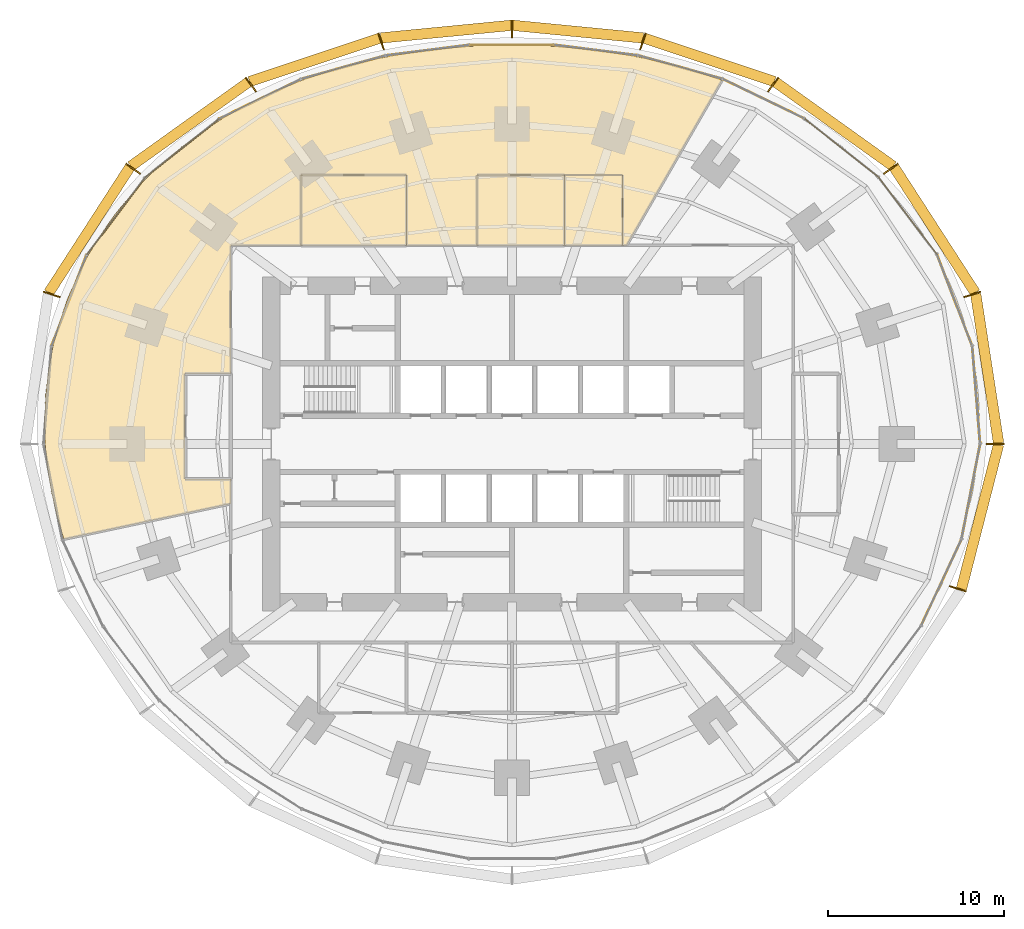
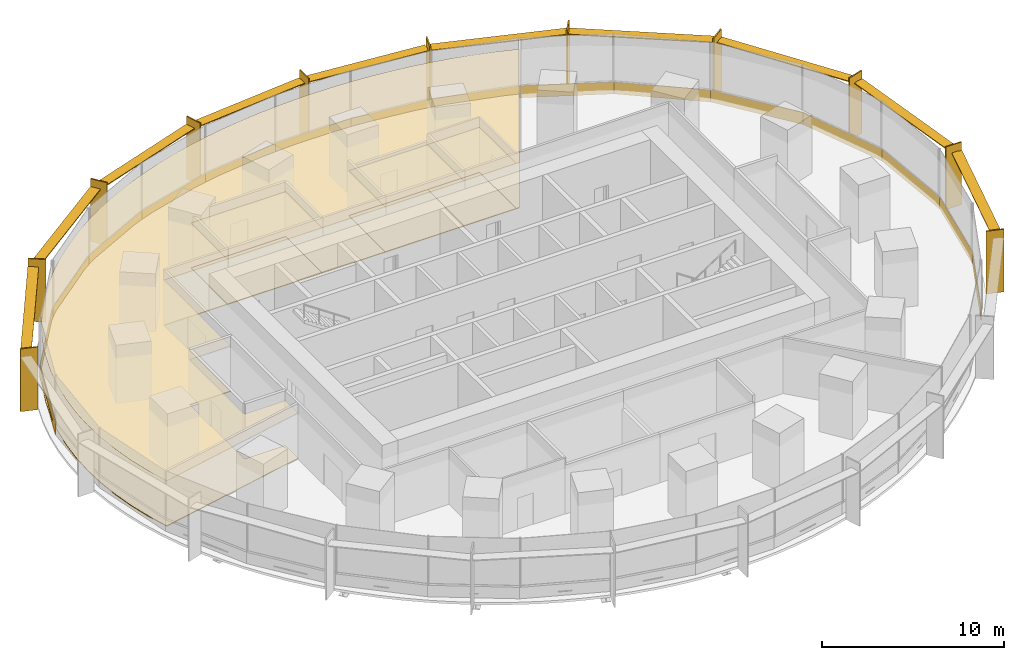
# One storey, part 15 of 15: 24 coverings, 21 shading devices.
"""IFC4 building model written with IfcOpenShell, lengths in metres."""

from ifc_helpers import new_model, si_unit, direction, frame, origin, origin_2d, place, context, subcontext, project, spatial, polyline, rectangle, outline, extrude, material, layer, layer_set, type_object, element, save


model = new_model("IFC4")

# Units and contexts
model_context = context("Model", 3, precision=1e-05, world=origin(), true_north=direction((0.0, 1.0)))
body_context = subcontext(model_context, "Body", "Model", "MODEL_VIEW")
ifc_project = project(units=[si_unit("LENGTHUNIT", "METRE"), si_unit("AREAUNIT", "SQUARE_METRE"), si_unit("VOLUMEUNIT", "CUBIC_METRE"), si_unit("PLANEANGLEUNIT", "RADIAN"), si_unit("MASSUNIT", "GRAM", prefix="KILO")], contexts=[model_context])

# Site, building, storey
site_placement = place(None, origin())
site = spatial("IfcSite", under=ifc_project, at=site_placement, CompositionType="ELEMENT")
building_placement = place(site_placement, origin())
building = spatial("IfcBuilding", under=site, at=building_placement, Name="Marramba Exchange Tower", CompositionType="ELEMENT")
storey_placement = place(building_placement, frame((0.0, 0.0, 44.800048828125)))
storey = spatial("IfcBuildingStorey", under=building, at=storey_placement, Name="L10", CompositionType="ELEMENT", Elevation=44.800048828125)

# Shading devices
ifc_material_1 = material(Name="Aluminium blade, timber-look bronze finish", Category="wood")
ifc_layer_1 = layer(ifc_material_1, 0.080078125)
ifc_layer_set_1 = layer_set([ifc_layer_1], Name="Floor-edge blade 1000x80")
shading_device_type_1 = type_object("IfcShadingDeviceType", Name="Floor-edge blade 1000x80", PredefinedType="USERDEFINED", material=ifc_layer_set_1)
for number, where, z_axis, x_axis, name in (
    (1, (27.5, 0.0, -0.16015625), (0.0, 0.0, 1.0), (1.0, 0.0, 0.0), "Floor-edge blade FB1 L10 TC01"),
    (2, (26.193115234375, 8.5107421875, -0.16015625), (0.0, 0.0, 1.0), (0.951056516295, 0.309016994375, 0.0), "Floor-edge blade FB1 L10 TC02"),
    (3, (21.56298828125, 15.66650390625, -0.16015625), (0.0, 0.0, 1.0), (0.809016994375, 0.587785252292, 0.0), "Floor-edge blade FB1 L10 TC03"),
    (4, (14.857666015625, 20.449951171875, -0.16015625), (0.0, 0.0, 1.0), (0.587785252292, 0.809016994375, 0.0), "Floor-edge blade FB1 L10 TC04"),
    (5, (7.444091796875, 22.910888671875, -0.16015625), (0.0, 0.0, 1.0), (0.309016994375, 0.951056516295, 0.0), "Floor-edge blade FB1 L10 TC05"),
    (6, (0.0, 23.6279296875, -0.16015625), (0.0, 0.0, 1.0), (0.0, 1.0, 0.0), "Floor-edge blade FB1 L10 TC06"),
    (7, (-7.444091796875, 22.910888671875, -0.16015625), (0.0, 0.0, 1.0), (-0.309016994375, 0.951056516295, 0.0), "Floor-edge blade FB1 L10 TC07"),
    (8, (-14.857666015625, 20.449951171875, -0.16015625), (0.0, 0.0, 1.0), (-0.587785252292, 0.809016994375, 0.0), "Floor-edge blade FB1 L10 TC08"),
    (9, (-21.56298828125, 15.66650390625, -0.16015625), (0.0, 0.0, 1.0), (-0.809016994375, 0.587785252292, 0.0), "Floor-edge blade FB1 L10 TC09"),
    (10, (-26.193115234375, 8.5107421875, -0.16015625), (0.0, 0.0, 1.0), (-0.951056516295, 0.309016994375, 0.0), "Floor-edge blade FB1 L10 TC10"),
    (11, (25.3740234375, -8.24462890625, -0.16015625), (0.0, 0.0, 1.0), (0.951056516295, -0.309016994375, 0.0), "Floor-edge blade FB1 L10 TC20"),
):
    element("IfcShadingDevice", number, at=place(storey_placement, frame(where, z_axis=z_axis, x_axis=x_axis)), inside=storey, type_object=shading_device_type_1, Name=name, ObjectType="FIN", PredefinedType="USERDEFINED", context=body_context, shape_type="SweptSolid", body=[
        extrude(rectangle(XDim=1.0, YDim=0.080078125, at=origin_2d()), origin(), (0.0, 0.0, 1.0), 4.199951171875),
    ])

# Coverings
ifc_material_2 = material(Name="Steel raised access floor panels", Category="steel")
ifc_layer_2 = layer(ifc_material_2, 0.050048828125)
ifc_layer_set_2 = layer_set([ifc_layer_2], Name="Raised access floor 300")
covering_type_1 = type_object("IfcCoveringType", Name="Raised access floor 300", PredefinedType="FLOORING", material=ifc_layer_set_2)
covering_1_placement = place(storey_placement, frame((0.0, 0.0, 0.25)))
element("IfcCovering", 12, at=covering_1_placement, inside=storey, type_object=covering_type_1, Name="Raised access floor RAF1 L10 Trading Floor 2", PredefinedType="FLOORING", context=body_context, shape_type="SweptSolid", body=[
    extrude(outline(polyline([(-16.0, 4.0), (-18.60009765625, 4.0), (-18.60009765625, -2.0), (-16.0, -2.0), (-16.0, -3.40087890625), (-25.50634765625, -5.421630859375), (-25.9013671875, -4.102294921875), (-26.213623046875, -2.755126953125), (-26.43798828125, -1.385498046875), (-26.570068359375, 0.0), (-26.6064453125, 1.394287109375), (-26.544921875, 2.7900390625), (-26.3837890625, 4.1787109375), (-26.123291015625, 5.552734375), (-25.763916015625, 6.9033203125), (-25.30859375, 8.22314453125), (-24.76025390625, 9.50439453125), (-24.12353515625, 10.740478515625), (-23.40380859375, 11.9248046875), (-22.607177734375, 13.05224609375), (-21.740478515625, 14.118408203125), (-20.810791015625, 15.119873046875), (-19.8251953125, 16.05419921875), (-18.791259765625, 16.919677734375), (-17.71630859375, 17.71630859375), (-16.60693359375, 18.44384765625), (-15.4697265625, 19.103759765625), (-14.31103515625, 19.697509765625), (-13.135986328125, 20.2275390625), (-11.94921875, 20.69677734375), (-10.755126953125, 21.10791015625), (-9.556640625, 21.464599609375), (-8.356689453125, 21.76953125), (-7.15673828125, 22.0263671875), (-5.95849609375, 22.23779296875), (-4.7626953125, 22.406982421875), (-3.5693359375, 22.535888671875), (-2.378173828125, 22.62646484375), (-1.188720703125, 22.68017578125), (0.0, 22.697998046875), (1.188720703125, 22.68017578125), (2.378173828125, 22.62646484375), (3.5693359375, 22.535888671875), (4.7626953125, 22.406982421875), (5.95849609375, 22.23779296875), (7.15673828125, 22.0263671875), (8.356689453125, 21.76953125), (9.556640625, 21.464599609375), (10.755126953125, 21.10791015625), (11.94921875, 20.69677734375), (11.58154296875, 20.059814453125), (6.524169921875, 11.300048828125), (6.300048828125, 11.300048828125), (6.300048828125, 15.300048828125), (3.0, 15.300048828125), (-2.0, 15.300048828125), (-2.0, 11.300048828125), (-6.0, 11.300048828125), (-6.0, 15.300048828125), (-12.0, 15.300048828125), (-12.0, 11.300048828125), (-16.0, 11.300048828125), (-16.0, 4.0)])), origin(), (0.0, 0.0, 1.0), 0.050048828125),
])
covering_2_placement = place(storey_placement, frame((0.0, 0.0, 0.25)))
element("IfcCovering", 13, at=covering_2_placement, inside=storey, type_object=covering_type_1, Name="Raised access floor RAF1 L10 Meeting Room 1", PredefinedType="FLOORING", context=body_context, shape_type="SweptSolid", body=[
    extrude(outline(polyline([(3.0, 11.300048828125), (-2.0, 11.300048828125), (-2.0, 15.300048828125), (3.0, 15.300048828125), (3.0, 11.300048828125)])), origin(), (0.0, 0.0, 1.0), 0.050048828125),
])
covering_3_placement = place(storey_placement, frame((0.0, 0.0, 0.25)))
element("IfcCovering", 14, at=covering_3_placement, inside=storey, type_object=covering_type_1, Name="Raised access floor RAF1 L10 Pantry 1", PredefinedType="FLOORING", context=body_context, shape_type="SweptSolid", body=[
    extrude(outline(polyline([(6.300048828125, 11.300048828125), (3.0, 11.300048828125), (3.0, 15.300048828125), (6.300048828125, 15.300048828125), (6.300048828125, 11.300048828125)])), origin(), (0.0, 0.0, 1.0), 0.050048828125),
])
covering_4_placement = place(storey_placement, frame((0.0, 0.0, 0.25)))
element("IfcCovering", 15, at=covering_4_placement, inside=storey, type_object=covering_type_1, Name="Raised access floor RAF1 L10 Meeting Room 2", PredefinedType="FLOORING", context=body_context, shape_type="SweptSolid", body=[
    extrude(outline(polyline([(-6.0, 11.300048828125), (-12.0, 11.300048828125), (-12.0, 15.300048828125), (-6.0, 15.300048828125), (-6.0, 11.300048828125)])), origin(), (0.0, 0.0, 1.0), 0.050048828125),
])

# Shading devices
ifc_material_3 = material(Name="Aluminium sunshade, bronze anodised", Category="aluminium")
ifc_layer_3 = layer(ifc_material_3, 0.06005859375)
ifc_layer_set_3 = layer_set([ifc_layer_3], Name="SUNSHADE blade 600x60")
shading_device_type_2 = type_object("IfcShadingDeviceType", Name="SUNSHADE blade 600x60", PredefinedType="USERDEFINED", material=ifc_layer_set_3)
shading_device_1_placement = place(storey_placement, frame((27.04150390625, 4.2861328125, 3.4599609375), z_axis=(0.0, 0.0, 1.0), x_axis=(-0.151825486228, 0.988407315701, 0.0)))
element("IfcShadingDevice", 16, at=shading_device_1_placement, inside=storey, type_object=shading_device_type_2, Name="Sunshade SS1 L10 bay 01", ObjectType="SUNSHADE", PredefinedType="USERDEFINED", context=body_context, shape_type="SweptSolid", body=[
    extrude(rectangle(XDim=8.593017578125, YDim=0.60009765625, at=origin_2d()), origin(), (0.0, 0.0, 1.0), 0.06005859375),
])
shading_device_2_placement = place(storey_placement, frame((24.053955078125, 12.17822265625, 3.4599609375), z_axis=(0.0, 0.0, 1.0), x_axis=(-0.542596596948, 0.839993412462, 0.0)))
element("IfcShadingDevice", 17, at=shading_device_2_placement, inside=storey, type_object=shading_device_type_2, Name="Sunshade SS1 L10 bay 02", ObjectType="SUNSHADE", PredefinedType="USERDEFINED", context=body_context, shape_type="SweptSolid", body=[
    extrude(rectangle(XDim=8.50537109375, YDim=0.60009765625, at=origin_2d()), origin(), (0.0, 0.0, 1.0), 0.06005859375),
])
shading_device_3_placement = place(storey_placement, frame((18.35009765625, 18.19775390625, 3.4599609375), z_axis=(0.0, 0.0, 1.0), x_axis=(-0.813362978246, 0.581756534659, 0.0)))
element("IfcShadingDevice", 18, at=shading_device_3_placement, inside=storey, type_object=shading_device_type_2, Name="Sunshade SS1 L10 bay 03", ObjectType="SUNSHADE", PredefinedType="USERDEFINED", context=body_context, shape_type="SweptSolid", body=[
    extrude(rectangle(XDim=8.218505859375, YDim=0.60009765625, at=origin_2d()), origin(), (0.0, 0.0, 1.0), 0.06005859375),
])
shading_device_4_placement = place(storey_placement, frame((11.24072265625, 21.8564453125, 3.4599609375), z_axis=(0.0, 0.0, 1.0), x_axis=(-0.948697789537, 0.316184288235, 0.0)))
element("IfcShadingDevice", 19, at=shading_device_4_placement, inside=storey, type_object=shading_device_type_2, Name="Sunshade SS1 L10 bay 04", ObjectType="SUNSHADE", PredefinedType="USERDEFINED", context=body_context, shape_type="SweptSolid", body=[
    extrude(rectangle(XDim=7.793212890625, YDim=0.60009765625, at=origin_2d()), origin(), (0.0, 0.0, 1.0), 0.06005859375),
])
for number, where, z_axis, x_axis, name in (
    (20, (3.7529296875, 23.464599609375, 3.4599609375), (0.0, 0.0, 1.0), (-0.995342876176, 0.096397919302, 0.0), "Sunshade SS1 L10 bay 05"),
    (21, (-3.7529296875, 23.464599609375, 3.4599609375), (0.0, 0.0, 1.0), (-0.995342876176, -0.096397919302, 0.0), "Sunshade SS1 L10 bay 06"),
):
    element("IfcShadingDevice", number, at=place(storey_placement, frame(where, z_axis=z_axis, x_axis=x_axis)), inside=storey, type_object=shading_device_type_2, Name=name, ObjectType="SUNSHADE", PredefinedType="USERDEFINED", context=body_context, shape_type="SweptSolid", body=[
        extrude(rectangle(XDim=7.461181640625, YDim=0.60009765625, at=origin_2d()), origin(), (0.0, 0.0, 1.0), 0.06005859375),
    ])
shading_device_5_placement = place(storey_placement, frame((-11.24072265625, 21.8564453125, 3.4599609375), z_axis=(0.0, 0.0, 1.0), x_axis=(-0.948697789537, -0.316184288235, 0.0)))
element("IfcShadingDevice", 22, at=shading_device_5_placement, inside=storey, type_object=shading_device_type_2, Name="Sunshade SS1 L10 bay 07", ObjectType="SUNSHADE", PredefinedType="USERDEFINED", context=body_context, shape_type="SweptSolid", body=[
    extrude(rectangle(XDim=7.793212890625, YDim=0.60009765625, at=origin_2d()), origin(), (0.0, 0.0, 1.0), 0.06005859375),
])
shading_device_6_placement = place(storey_placement, frame((-18.35009765625, 18.19775390625, 3.4599609375), z_axis=(0.0, 0.0, 1.0), x_axis=(-0.813362978246, -0.581756534659, 0.0)))
element("IfcShadingDevice", 23, at=shading_device_6_placement, inside=storey, type_object=shading_device_type_2, Name="Sunshade SS1 L10 bay 08", ObjectType="SUNSHADE", PredefinedType="USERDEFINED", context=body_context, shape_type="SweptSolid", body=[
    extrude(rectangle(XDim=8.218505859375, YDim=0.60009765625, at=origin_2d()), origin(), (0.0, 0.0, 1.0), 0.06005859375),
])
shading_device_7_placement = place(storey_placement, frame((-24.053955078125, 12.17822265625, 3.4599609375), z_axis=(0.0, 0.0, 1.0), x_axis=(-0.542596596948, -0.839993412462, 0.0)))
element("IfcShadingDevice", 24, at=shading_device_7_placement, inside=storey, type_object=shading_device_type_2, Name="Sunshade SS1 L10 bay 09", ObjectType="SUNSHADE", PredefinedType="USERDEFINED", context=body_context, shape_type="SweptSolid", body=[
    extrude(rectangle(XDim=8.50537109375, YDim=0.60009765625, at=origin_2d()), origin(), (0.0, 0.0, 1.0), 0.06005859375),
])
shading_device_8_placement = place(storey_placement, frame((26.632080078125, -4.153076171875, 3.4599609375), z_axis=(0.0, 0.0, 1.0), x_axis=(0.249024641331, 0.968497149201, 0.0)))
element("IfcShadingDevice", 25, at=shading_device_8_placement, inside=storey, type_object=shading_device_type_2, Name="Sunshade SS1 L10 bay 20", ObjectType="SUNSHADE", PredefinedType="USERDEFINED", context=body_context, shape_type="SweptSolid", body=[
    extrude(rectangle(XDim=8.49658203125, YDim=0.60009765625, at=origin_2d()), origin(), (0.0, 0.0, 1.0), 0.06005859375),
])

# Coverings
ifc_material_4 = material(Name="Aluminium spandrel panel, bronze anodised, insulated", Category="aluminium")
ifc_layer_4 = layer(ifc_material_4, 0.050048828125)
ifc_layer_set_4 = layer_set([ifc_layer_4], Name="Spandrel panel 800")
covering_type_2 = type_object("IfcCoveringType", Name="Spandrel panel 800", PredefinedType="CLADDING", material=ifc_layer_set_4)
covering_5_placement = place(storey_placement, frame((26.42578125, 2.78466796875, 0.0), z_axis=(0.0, 0.0, 1.0), x_axis=(-0.080275227657, 0.996772736297, 0.0)))
element("IfcCovering", 26, at=covering_5_placement, inside=storey, type_object=covering_type_2, Name="Spandrel panel SP1 L10 F01", PredefinedType="CLADDING", context=body_context, shape_type="SweptSolid", body=[
    extrude(rectangle(XDim=5.58740234375, YDim=0.050048828125, at=origin_2d()), origin(), (0.0, 0.0, 1.0), 0.800048828125),
])
covering_6_placement = place(storey_placement, frame((25.198974609375, 8.171142578125, 0.0), z_axis=(0.0, 0.0, 1.0), x_axis=(-0.359525512701, 0.933135255854, 0.0)))
element("IfcCovering", 27, at=covering_6_placement, inside=storey, type_object=covering_type_2, Name="Spandrel panel SP1 L10 F02", PredefinedType="CLADDING", context=body_context, shape_type="SweptSolid", body=[
    extrude(rectangle(XDim=5.57666015625, YDim=0.050048828125, at=origin_2d()), origin(), (0.0, 0.0, 1.0), 0.800048828125),
])
covering_7_placement = place(storey_placement, frame((22.535888671875, 12.969970703125, 0.0), z_axis=(0.0, 0.0, 1.0), x_axis=(-0.602989761876, 0.797748924834, 0.0)))
element("IfcCovering", 28, at=covering_7_placement, inside=storey, type_object=covering_type_2, Name="Spandrel panel SP1 L10 F03", PredefinedType="CLADDING", context=body_context, shape_type="SweptSolid", body=[
    extrude(rectangle(XDim=5.5078125, YDim=0.050048828125, at=origin_2d()), origin(), (0.0, 0.0, 1.0), 0.800048828125),
])
covering_8_placement = place(storey_placement, frame((18.767822265625, 16.8349609375, 0.0), z_axis=(0.0, 0.0, 1.0), x_axis=(-0.784087946735, 0.620649733574, 0.0)))
element("IfcCovering", 29, at=covering_8_placement, inside=storey, type_object=covering_type_2, Name="Spandrel panel SP1 L10 F04", PredefinedType="CLADDING", context=body_context, shape_type="SweptSolid", body=[
    extrude(rectangle(XDim=5.375732421875, YDim=0.050048828125, at=origin_2d()), origin(), (0.0, 0.0, 1.0), 0.800048828125),
])
covering_9_placement = place(storey_placement, frame((14.324951171875, 19.634765625, 0.0), z_axis=(0.0, 0.0, 1.0), x_axis=(-0.899963432359, 0.435965389012, 0.0)))
element("IfcCovering", 30, at=covering_9_placement, inside=storey, type_object=covering_type_2, Name="Spandrel panel SP1 L10 F05", PredefinedType="CLADDING", context=body_context, shape_type="SweptSolid", body=[
    extrude(rectangle(XDim=5.1904296875, YDim=0.050048828125, at=origin_2d()), origin(), (0.0, 0.0, 1.0), 0.800048828125),
])
covering_10_placement = place(storey_placement, frame((9.58544921875, 21.434326171875, 0.0), z_axis=(0.0, 0.0, 1.0), x_axis=(-0.963472098411, 0.267808729475, 0.0)))
element("IfcCovering", 31, at=covering_10_placement, inside=storey, type_object=covering_type_2, Name="Spandrel panel SP1 L10 F06", PredefinedType="CLADDING", context=body_context, shape_type="SweptSolid", body=[
    extrude(rectangle(XDim=4.989990234375, YDim=0.050048828125, at=origin_2d()), origin(), (0.0, 0.0, 1.0), 0.800048828125),
])
covering_11_placement = place(storey_placement, frame((4.783935546875, 22.404296875, 0.0), z_axis=(0.0, 0.0, 1.0), x_axis=(-0.992172768222, 0.124872727203, 0.0)))
element("IfcCovering", 32, at=covering_11_placement, inside=storey, type_object=covering_type_2, Name="Spandrel panel SP1 L10 F07", PredefinedType="CLADDING", context=body_context, shape_type="SweptSolid", body=[
    extrude(rectangle(XDim=4.832763671875, YDim=0.050048828125, at=origin_2d()), origin(), (0.0, 0.0, 1.0), 0.800048828125),
])
covering_12_placement = place(storey_placement, frame((0.0, 22.7060546875, 0.0), z_axis=(0.0, 0.0, 1.0), x_axis=(-1.0, 0.0, 0.0)))
element("IfcCovering", 33, at=covering_12_placement, inside=storey, type_object=covering_type_2, Name="Spandrel panel SP1 L10 F08", PredefinedType="CLADDING", context=body_context, shape_type="SweptSolid", body=[
    extrude(rectangle(XDim=4.77294921875, YDim=0.050048828125, at=origin_2d()), origin(), (0.0, 0.0, 1.0), 0.800048828125),
])
covering_13_placement = place(storey_placement, frame((-4.783935546875, 22.404296875, 0.0), z_axis=(0.0, 0.0, 1.0), x_axis=(-0.992172768222, -0.124872727203, 0.0)))
element("IfcCovering", 34, at=covering_13_placement, inside=storey, type_object=covering_type_2, Name="Spandrel panel SP1 L10 F09", PredefinedType="CLADDING", context=body_context, shape_type="SweptSolid", body=[
    extrude(rectangle(XDim=4.832763671875, YDim=0.050048828125, at=origin_2d()), origin(), (0.0, 0.0, 1.0), 0.800048828125),
])
covering_14_placement = place(storey_placement, frame((-9.58544921875, 21.434326171875, 0.0), z_axis=(0.0, 0.0, 1.0), x_axis=(-0.963472098411, -0.267808729475, 0.0)))
element("IfcCovering", 35, at=covering_14_placement, inside=storey, type_object=covering_type_2, Name="Spandrel panel SP1 L10 F10", PredefinedType="CLADDING", context=body_context, shape_type="SweptSolid", body=[
    extrude(rectangle(XDim=4.989990234375, YDim=0.050048828125, at=origin_2d()), origin(), (0.0, 0.0, 1.0), 0.800048828125),
])
covering_15_placement = place(storey_placement, frame((-14.324951171875, 19.634765625, 0.0), z_axis=(0.0, 0.0, 1.0), x_axis=(-0.899963432359, -0.435965389012, 0.0)))
element("IfcCovering", 36, at=covering_15_placement, inside=storey, type_object=covering_type_2, Name="Spandrel panel SP1 L10 F11", PredefinedType="CLADDING", context=body_context, shape_type="SweptSolid", body=[
    extrude(rectangle(XDim=5.1904296875, YDim=0.050048828125, at=origin_2d()), origin(), (0.0, 0.0, 1.0), 0.800048828125),
])
covering_16_placement = place(storey_placement, frame((-18.767822265625, 16.8349609375, 0.0), z_axis=(0.0, 0.0, 1.0), x_axis=(-0.784087946735, -0.620649733574, 0.0)))
element("IfcCovering", 37, at=covering_16_placement, inside=storey, type_object=covering_type_2, Name="Spandrel panel SP1 L10 F12", PredefinedType="CLADDING", context=body_context, shape_type="SweptSolid", body=[
    extrude(rectangle(XDim=5.375732421875, YDim=0.050048828125, at=origin_2d()), origin(), (0.0, 0.0, 1.0), 0.800048828125),
])
covering_17_placement = place(storey_placement, frame((-22.535888671875, 12.969970703125, 0.0), z_axis=(0.0, 0.0, 1.0), x_axis=(-0.602989761876, -0.797748924834, 0.0)))
element("IfcCovering", 38, at=covering_17_placement, inside=storey, type_object=covering_type_2, Name="Spandrel panel SP1 L10 F13", PredefinedType="CLADDING", context=body_context, shape_type="SweptSolid", body=[
    extrude(rectangle(XDim=5.5078125, YDim=0.050048828125, at=origin_2d()), origin(), (0.0, 0.0, 1.0), 0.800048828125),
])
covering_18_placement = place(storey_placement, frame((-25.198974609375, 8.171142578125, 0.0), z_axis=(0.0, 0.0, 1.0), x_axis=(-0.359525512701, -0.933135255854, 0.0)))
element("IfcCovering", 39, at=covering_18_placement, inside=storey, type_object=covering_type_2, Name="Spandrel panel SP1 L10 F14", PredefinedType="CLADDING", context=body_context, shape_type="SweptSolid", body=[
    extrude(rectangle(XDim=5.57666015625, YDim=0.050048828125, at=origin_2d()), origin(), (0.0, 0.0, 1.0), 0.800048828125),
])
covering_19_placement = place(storey_placement, frame((24.432861328125, -7.90185546875, 0.0), z_axis=(0.0, 0.0, 1.0), x_axis=(0.423477213559, 0.905906755464, 0.0)))
element("IfcCovering", 40, at=covering_19_placement, inside=storey, type_object=covering_type_2, Name="Spandrel panel SP1 L10 F29", PredefinedType="CLADDING", context=body_context, shape_type="SweptSolid", body=[
    extrude(rectangle(XDim=5.439208984375, YDim=0.050048828125, at=origin_2d()), origin(), (0.0, 0.0, 1.0), 0.800048828125),
])
covering_20_placement = place(storey_placement, frame((26.117431640625, -2.718994140625, 0.0), z_axis=(0.0, 0.0, 1.0), x_axis=(0.19224858127, 0.981346260501, 0.0)))
element("IfcCovering", 41, at=covering_20_placement, inside=storey, type_object=covering_type_2, Name="Spandrel panel SP1 L10 F30", PredefinedType="CLADDING", context=body_context, shape_type="SweptSolid", body=[
    extrude(rectangle(XDim=5.54150390625, YDim=0.050048828125, at=origin_2d()), origin(), (0.0, 0.0, 1.0), 0.800048828125),
])
ifc_material_5 = material(Name="Mineral fibre ceiling tiles", Category="gypsum")
ifc_layer_5 = layer(ifc_material_5, 0.02001953125)
ifc_layer_set_5 = layer_set([ifc_layer_5], Name="Suspended ceiling 20")
covering_type_3 = type_object("IfcCoveringType", Name="Suspended ceiling 20", PredefinedType="CEILING", material=ifc_layer_set_5)
covering_21_placement = place(storey_placement, frame((0.0, 0.0, 3.300048828125)))
element("IfcCovering", 42, at=covering_21_placement, inside=storey, type_object=covering_type_3, Name="Ceiling CL1 L10 Trading Floor 2", PredefinedType="CEILING", context=body_context, shape_type="SweptSolid", body=[
    extrude(outline(polyline([(-16.0, 4.0), (-18.60009765625, 4.0), (-18.60009765625, -2.0), (-16.0, -2.0), (-16.0, -3.40087890625), (-25.50634765625, -5.421630859375), (-25.9013671875, -4.102294921875), (-26.213623046875, -2.755126953125), (-26.43798828125, -1.385498046875), (-26.570068359375, 0.0), (-26.6064453125, 1.394287109375), (-26.544921875, 2.7900390625), (-26.3837890625, 4.1787109375), (-26.123291015625, 5.552734375), (-25.763916015625, 6.9033203125), (-25.30859375, 8.22314453125), (-24.76025390625, 9.50439453125), (-24.12353515625, 10.740478515625), (-23.40380859375, 11.9248046875), (-22.607177734375, 13.05224609375), (-21.740478515625, 14.118408203125), (-20.810791015625, 15.119873046875), (-19.8251953125, 16.05419921875), (-18.791259765625, 16.919677734375), (-17.71630859375, 17.71630859375), (-16.60693359375, 18.44384765625), (-15.4697265625, 19.103759765625), (-14.31103515625, 19.697509765625), (-13.135986328125, 20.2275390625), (-11.94921875, 20.69677734375), (-10.755126953125, 21.10791015625), (-9.556640625, 21.464599609375), (-8.356689453125, 21.76953125), (-7.15673828125, 22.0263671875), (-5.95849609375, 22.23779296875), (-4.7626953125, 22.406982421875), (-3.5693359375, 22.535888671875), (-2.378173828125, 22.62646484375), (-1.188720703125, 22.68017578125), (0.0, 22.697998046875), (1.188720703125, 22.68017578125), (2.378173828125, 22.62646484375), (3.5693359375, 22.535888671875), (4.7626953125, 22.406982421875), (5.95849609375, 22.23779296875), (7.15673828125, 22.0263671875), (8.356689453125, 21.76953125), (9.556640625, 21.464599609375), (10.755126953125, 21.10791015625), (11.94921875, 20.69677734375), (11.58154296875, 20.059814453125), (6.524169921875, 11.300048828125), (6.300048828125, 11.300048828125), (6.300048828125, 15.300048828125), (3.0, 15.300048828125), (-2.0, 15.300048828125), (-2.0, 11.300048828125), (-6.0, 11.300048828125), (-6.0, 15.300048828125), (-12.0, 15.300048828125), (-12.0, 11.300048828125), (-16.0, 11.300048828125), (-16.0, 4.0)])), origin(), (0.0, 0.0, 1.0), 0.02001953125),
])
covering_22_placement = place(storey_placement, frame((0.0, 0.0, 3.300048828125)))
element("IfcCovering", 43, at=covering_22_placement, inside=storey, type_object=covering_type_3, Name="Ceiling CL1 L10 Meeting Room 1", PredefinedType="CEILING", context=body_context, shape_type="SweptSolid", body=[
    extrude(outline(polyline([(3.0, 11.300048828125), (-2.0, 11.300048828125), (-2.0, 15.300048828125), (3.0, 15.300048828125), (3.0, 11.300048828125)])), origin(), (0.0, 0.0, 1.0), 0.02001953125),
])
covering_23_placement = place(storey_placement, frame((0.0, 0.0, 3.300048828125)))
element("IfcCovering", 44, at=covering_23_placement, inside=storey, type_object=covering_type_3, Name="Ceiling CL1 L10 Pantry 1", PredefinedType="CEILING", context=body_context, shape_type="SweptSolid", body=[
    extrude(outline(polyline([(6.300048828125, 11.300048828125), (3.0, 11.300048828125), (3.0, 15.300048828125), (6.300048828125, 15.300048828125), (6.300048828125, 11.300048828125)])), origin(), (0.0, 0.0, 1.0), 0.02001953125),
])
covering_24_placement = place(storey_placement, frame((0.0, 0.0, 3.300048828125)))
element("IfcCovering", 45, at=covering_24_placement, inside=storey, type_object=covering_type_3, Name="Ceiling CL1 L10 Meeting Room 2", PredefinedType="CEILING", context=body_context, shape_type="SweptSolid", body=[
    extrude(outline(polyline([(-6.0, 11.300048828125), (-12.0, 11.300048828125), (-12.0, 15.300048828125), (-6.0, 15.300048828125), (-6.0, 11.300048828125)])), origin(), (0.0, 0.0, 1.0), 0.02001953125),
])

save(model, "model.ifc")
